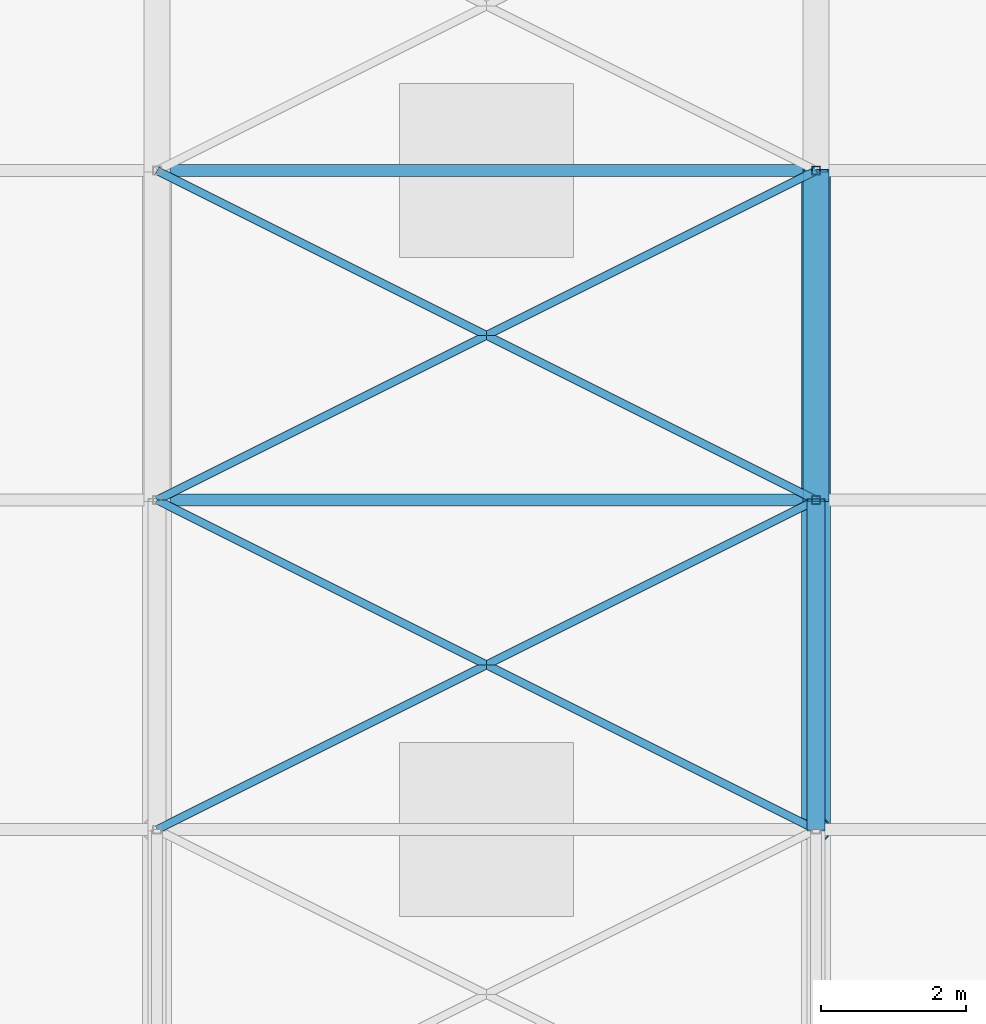
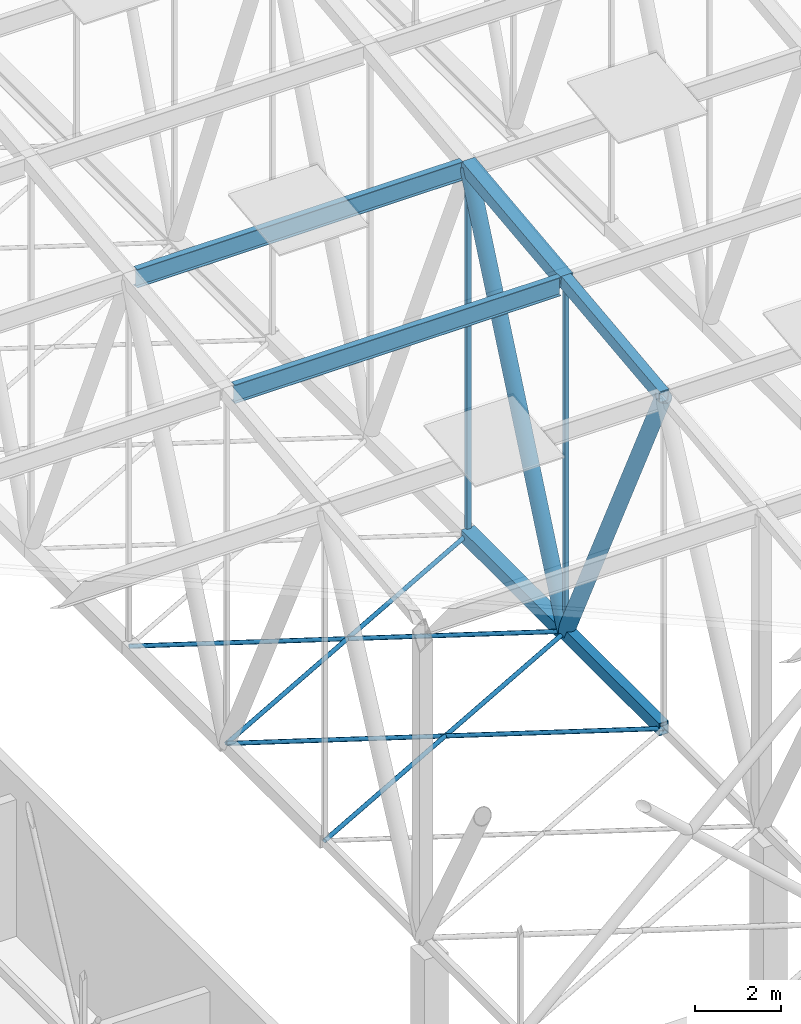
# One storey, part 48 of 500: 14 members.
"""IFC4 building model written with IfcOpenShell, lengths in metres."""

from ifc_helpers import new_model, si_unit, direction, frame, origin, origin_2d, place, context, subcontext, project, spatial, hollow_rectangle, hollow_circle, i_section, extrude, material, material_profile, profile_set, type_object, element, save


model = new_model("IFC4")

# Units and contexts
model_context = context("Model", 3, precision=1e-05, world=origin(), true_north=direction((0.0, 1.0)))
body_context = subcontext(model_context, "Body", "Model", "MODEL_VIEW")
ifc_project = project(units=[si_unit("LENGTHUNIT", "METRE"), si_unit("AREAUNIT", "SQUARE_METRE"), si_unit("VOLUMEUNIT", "CUBIC_METRE"), si_unit("PLANEANGLEUNIT", "RADIAN"), si_unit("MASSUNIT", "GRAM", prefix="KILO")], contexts=[model_context])

# Site, building, storey
site_placement = place(None, origin())
site = spatial("IfcSite", under=ifc_project, at=site_placement, CompositionType="ELEMENT")
building_placement = place(site_placement, origin())
building = spatial("IfcBuilding", under=site, at=building_placement, Name="Shirokan Park Arena", CompositionType="ELEMENT")
storey_placement = place(building_placement, frame((0.0, 0.0, 29.1201171875)))
storey = spatial("IfcBuildingStorey", under=building, at=storey_placement, Name="L06", CompositionType="ELEMENT", Elevation=29.1201171875)

# Members
ifc_material_1 = material(Name="Steel ASTM A500 Grade C", Category="steel")
ifc_material_profile_1 = material_profile(ifc_material_1, hollow_rectangle(XDim=0.25390625, YDim=0.35595703125, WallThickness=0.015869140625, at=origin_2d()), Name="HSS355.6X254X15.9")
ifc_profile_set_1 = profile_set([ifc_material_profile_1], Name="Steel ASTM A500 Grade C")
member_type_1 = type_object("IfcMemberType", Name="Bottom chord HSS355.6X254X15.9", PredefinedType="CHORD", material=ifc_profile_set_1)
member_1_placement = place(storey_placement, frame((54.60009765625, 13.64990234375, 4.677001953125), z_axis=(0.0, 1.0, 0.0), x_axis=(-1.0, 0.0, 0.0)))
element("IfcMember", 1, at=member_1_placement, inside=storey, type_object=member_type_1, Name="Truss T07 bottom chord 6", PredefinedType="CHORD", context=body_context, shape_type="SweptSolid", body=[
    extrude(hollow_rectangle(XDim=0.25390625, YDim=0.35595703125, WallThickness=0.015869140625, at=origin_2d()), origin(), (0.0, 0.0, 1.0), 4.550048828125),
])
ifc_material_profile_2 = material_profile(ifc_material_1, hollow_rectangle(XDim=0.35595703125, YDim=0.35595703125, WallThickness=0.01904296875, at=origin_2d()), Name="HSS355.6X355.6X19.0")
ifc_profile_set_2 = profile_set([ifc_material_profile_2], Name="Steel ASTM A500 Grade C")
member_type_2 = type_object("IfcMemberType", Name="Bottom chord HSS355.6X355.6X19.0", PredefinedType="CHORD", material=ifc_profile_set_2)
member_2_placement = place(storey_placement, frame((54.60009765625, 18.199951171875, 4.677001953125), z_axis=(0.0, 1.0, 0.0), x_axis=(-1.0, 0.0, 0.0)))
element("IfcMember", 2, at=member_2_placement, inside=storey, type_object=member_type_2, Name="Truss T07 bottom chord 7", PredefinedType="CHORD", context=body_context, shape_type="SweptSolid", body=[
    extrude(hollow_rectangle(XDim=0.35595703125, YDim=0.35595703125, WallThickness=0.01904296875, at=origin_2d()), origin(), (0.0, 0.0, 1.0), 4.550048828125),
])
ifc_material_profile_3 = material_profile(ifc_material_1, hollow_circle(Radius=0.056884765625, WallThickness=0.006103515625, at=origin_2d()), Name="HSS114.3X6")
ifc_profile_set_3 = profile_set([ifc_material_profile_3], Name="Steel ASTM A500 Grade C")
member_type_3 = type_object("IfcMemberType", Name="Plan bracing HSS114.3X6", PredefinedType="BRACE", material=ifc_profile_set_3)
for number, where, z_axis, x_axis, name in (
    (3, (45.5, 13.64990234375, 4.677001953125), (0.894427191, 0.4472135955, 0.0), (-0.4472135955, 0.894427191, 0.0), "Plan bracing bay 6 panel 6 A"),
    (4, (54.60009765625, 13.64990234375, 4.677001953125), (-0.894427191, 0.4472135955, 0.0), (-0.4472135955, -0.894427191, 0.0), "Plan bracing bay 6 panel 6 B"),
    (5, (45.5, 18.199951171875, 4.677001953125), (0.894427191, 0.4472135955, 0.0), (-0.4472135955, 0.894427191, 0.0), "Plan bracing bay 6 panel 7 A"),
    (6, (54.60009765625, 18.199951171875, 4.677001953125), (-0.894427191, 0.4472135955, 0.0), (-0.4472135955, -0.894427191, 0.0), "Plan bracing bay 6 panel 7 B"),
):
    element("IfcMember", number, at=place(storey_placement, frame(where, z_axis=z_axis, x_axis=x_axis)), inside=storey, type_object=member_type_3, Name=name, PredefinedType="BRACE", context=body_context, shape_type="SweptSolid", body=[
        extrude(hollow_circle(Radius=0.056884765625, WallThickness=0.006103515625, at=origin_2d()), origin(), (0.0, 0.0, 1.0), 10.17431640625),
    ])
ifc_material_2 = material(Name="Steel ASTM A992", Category="steel")
ifc_material_profile_4 = material_profile(ifc_material_2, i_section(OverallWidth=0.166015625, OverallDepth=0.528076171875, WebThickness=0.009765625, FlangeThickness=0.013671875, at=origin_2d()), Name="W530X74")
ifc_profile_set_4 = profile_set([ifc_material_profile_4], Name="Steel ASTM A992")
member_type_4 = type_object("IfcMemberType", Name="Purlin W530X74", PredefinedType="PURLIN", material=ifc_profile_set_4)
for number, where, z_axis, x_axis, name in (
    (7, (45.677978515625, 18.199951171875, 14.56591796875), (1.0, 0.0, 0.0), (0.0, 1.0, 0.0), "Purlin 7 bay 6"),
    (8, (45.677978515625, 22.75, 15.0859375), (1.0, 0.0, 0.0), (0.0, 1.0, 0.0), "Purlin 8 bay 6"),
):
    element("IfcMember", number, at=place(storey_placement, frame(where, z_axis=z_axis, x_axis=x_axis)), inside=storey, type_object=member_type_4, Name=name, PredefinedType="PURLIN", context=body_context, shape_type="SweptSolid", body=[
        extrude(i_section(OverallWidth=0.166015625, OverallDepth=0.528076171875, WebThickness=0.009765625, FlangeThickness=0.013671875, at=origin_2d()), origin(), (0.0, 0.0, 1.0), 8.744140625),
    ])
ifc_material_profile_5 = material_profile(ifc_material_1, hollow_rectangle(XDim=0.25390625, YDim=0.35595703125, WallThickness=0.015869140625, at=origin_2d()), Name="HSS355.6X254X15.9")
ifc_profile_set_5 = profile_set([ifc_material_profile_5], Name="Steel ASTM A500 Grade C")
member_type_5 = type_object("IfcMemberType", Name="Top chord HSS355.6X254X15.9", PredefinedType="CHORD", material=ifc_profile_set_5)
member_3_placement = place(storey_placement, frame((54.60009765625, 13.64990234375, 14.101318359375), z_axis=(0.0, 0.993532328996, 0.113549598152), x_axis=(-1.0, 0.0, 0.0)))
element("IfcMember", 9, at=member_3_placement, inside=storey, type_object=member_type_5, Name="Truss T07 top chord 6", PredefinedType="CHORD", context=body_context, shape_type="SweptSolid", body=[
    extrude(hollow_rectangle(XDim=0.25390625, YDim=0.35595703125, WallThickness=0.015869140625, at=origin_2d()), origin(), (0.0, 0.0, 1.0), 4.57958984375),
])
ifc_material_profile_6 = material_profile(ifc_material_1, hollow_rectangle(XDim=0.35595703125, YDim=0.35595703125, WallThickness=0.01904296875, at=origin_2d()), Name="HSS355.6X355.6X19.0")
ifc_profile_set_6 = profile_set([ifc_material_profile_6], Name="Steel ASTM A500 Grade C")
member_type_6 = type_object("IfcMemberType", Name="Top chord HSS355.6X355.6X19.0", PredefinedType="CHORD", material=ifc_profile_set_6)
member_4_placement = place(storey_placement, frame((54.60009765625, 18.199951171875, 14.621337890625), z_axis=(0.0, 0.993532328996, 0.113549598152), x_axis=(-1.0, 0.0, 0.0)))
element("IfcMember", 10, at=member_4_placement, inside=storey, type_object=member_type_6, Name="Truss T07 top chord 7", PredefinedType="CHORD", context=body_context, shape_type="SweptSolid", body=[
    extrude(hollow_rectangle(XDim=0.35595703125, YDim=0.35595703125, WallThickness=0.01904296875, at=origin_2d()), origin(), (0.0, 0.0, 1.0), 4.57958984375),
])
ifc_material_profile_7 = material_profile(ifc_material_1, hollow_circle(Radius=0.202880859375, WallThickness=0.015869140625, at=origin_2d()), Name="HSS406.4X15.9")
ifc_profile_set_7 = profile_set([ifc_material_profile_7], Name="Steel ASTM A500 Grade C")
member_type_7 = type_object("IfcMemberType", Name="Truss diagonal HSS406.4X15.9", PredefinedType="BRACE", material=ifc_profile_set_7)
member_5_placement = place(storey_placement, frame((54.60009765625, 13.64990234375, 14.101318359375), z_axis=(0.0, 0.434778423415, -0.900537463148), x_axis=(-1.0, 0.0, 0.0)))
element("IfcMember", 11, at=member_5_placement, inside=storey, type_object=member_type_7, Name="Truss T07 diagonal 6", PredefinedType="BRACE", context=body_context, shape_type="SweptSolid", body=[
    extrude(hollow_circle(Radius=0.202880859375, WallThickness=0.015869140625, at=origin_2d()), origin(), (0.0, 0.0, 1.0), 10.46533203125),
])
member_6_placement = place(storey_placement, frame((54.60009765625, 18.199951171875, 4.677001953125), z_axis=(0.0, 0.398750364192, 0.917059511186), x_axis=(-1.0, 0.0, 0.0)))
element("IfcMember", 12, at=member_6_placement, inside=storey, type_object=member_type_7, Name="Truss T07 diagonal 7", PredefinedType="BRACE", context=body_context, shape_type="SweptSolid", body=[
    extrude(hollow_circle(Radius=0.202880859375, WallThickness=0.015869140625, at=origin_2d()), origin(), (0.0, 0.0, 1.0), 11.410888671875),
])
ifc_material_profile_8 = material_profile(ifc_material_1, hollow_rectangle(XDim=0.114013671875, YDim=0.114013671875, WallThickness=0.00634765625, at=origin_2d()), Name="HSS114.3X114.3X6.4")
ifc_profile_set_8 = profile_set([ifc_material_profile_8], Name="Steel ASTM A500 Grade C")
member_type_8 = type_object("IfcMemberType", Name="Truss post HSS114.3X114.3X6.4", PredefinedType="POST", material=ifc_profile_set_8)
member_7_placement = place(storey_placement, frame((54.60009765625, 18.199951171875, 4.677001953125), z_axis=(0.0, 0.0, 1.0), x_axis=(1.0, 0.0, 0.0)))
element("IfcMember", 13, at=member_7_placement, inside=storey, type_object=member_type_8, Name="Truss T07 post 7", PredefinedType="POST", context=body_context, shape_type="SweptSolid", body=[
    extrude(hollow_rectangle(XDim=0.114013671875, YDim=0.114013671875, WallThickness=0.00634765625, at=origin_2d()), origin(), (0.0, 0.0, 1.0), 9.9443359375),
])
member_8_placement = place(storey_placement, frame((54.60009765625, 22.75, 4.677001953125), z_axis=(0.0, 0.0, 1.0), x_axis=(1.0, 0.0, 0.0)))
element("IfcMember", 14, at=member_8_placement, inside=storey, type_object=member_type_8, Name="Truss T07 post 8", PredefinedType="POST", context=body_context, shape_type="SweptSolid", body=[
    extrude(hollow_rectangle(XDim=0.114013671875, YDim=0.114013671875, WallThickness=0.00634765625, at=origin_2d()), origin(), (0.0, 0.0, 1.0), 10.46435546875),
])

save(model, "model.ifc")
